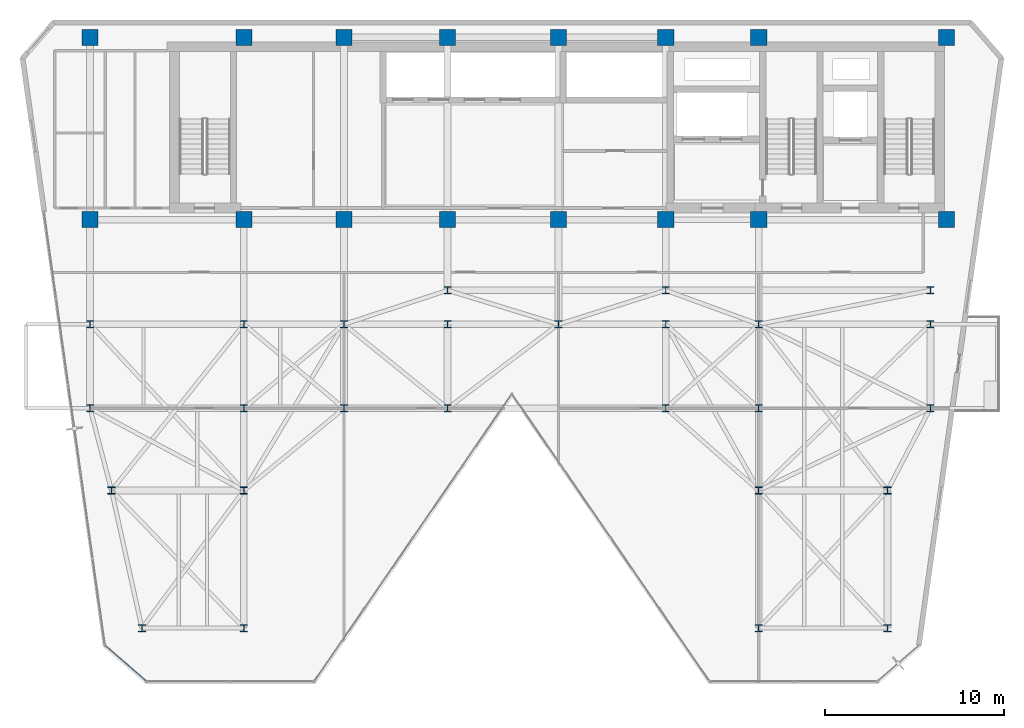
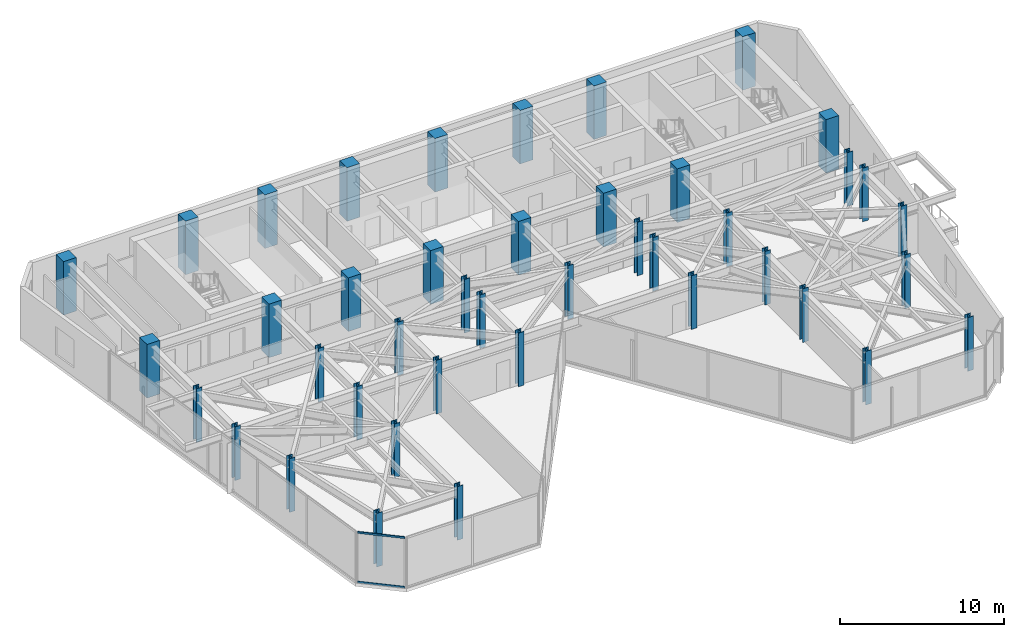
# One storey, part 1 of 26: 42 columns, 2 members, 1 element without a shape of its own.
"""IFC4 building model written with IfcOpenShell, lengths in metres."""

from ifc_helpers import new_model, si_unit, direction, frame, origin, origin_2d, place, context, subcontext, project, spatial, rectangle, hollow_rectangle, i_section, extrude, material, layer, layer_set, material_profile, profile_set, type_object, element, aggregate, save


model = new_model("IFC4")

# Units and contexts
model_context = context("Model", 3, precision=1e-05, world=origin(), true_north=direction((0.0, 1.0)))
body_context = subcontext(model_context, "Body", "Model", "MODEL_VIEW")
ifc_project = project(units=[si_unit("LENGTHUNIT", "METRE"), si_unit("AREAUNIT", "SQUARE_METRE"), si_unit("VOLUMEUNIT", "CUBIC_METRE"), si_unit("PLANEANGLEUNIT", "RADIAN"), si_unit("MASSUNIT", "GRAM", prefix="KILO")], contexts=[model_context])

# Site, building, storey
site_placement = place(None, origin())
site = spatial("IfcSite", under=ifc_project, at=site_placement, CompositionType="ELEMENT")
building_placement = place(site_placement, origin())
building = spatial("IfcBuilding", under=site, at=building_placement, Name="Kravanh Interchange Tower", CompositionType="ELEMENT")
storey_placement = place(building_placement, frame((0.0, 0.0, 204.5)))
storey = spatial("IfcBuildingStorey", under=building, at=storey_placement, Name="L49", CompositionType="ELEMENT", Elevation=204.5)

# Columns
ifc_material_1 = material(Name="Concrete C60/75", Category="concrete")
ifc_material_profile_1 = material_profile(ifc_material_1, rectangle(XDim=0.89990234375, YDim=0.89990234375, at=origin_2d()), Name="RC900X900")
ifc_profile_set_1 = profile_set([ifc_material_profile_1], Name="Concrete C60/75")
column_type_1 = type_object("IfcColumnType", Name="Column RC900X900 Concrete C60/75", PredefinedType="COLUMN", material=ifc_profile_set_1)
for number, where, z_axis, x_axis, name in (
    (1, (66.5, 47.550048828125, 0.0), (0.0, 0.0, 1.0), (1.0, 0.0, 0.0), "L49 Column CS01"),
    (2, (56.0, 47.550048828125, 0.0), (0.0, 0.0, 1.0), (1.0, 0.0, 0.0), "L49 Column CS02"),
    (3, (66.5, 37.35009765625, 0.0), (0.0, 0.0, 1.0), (1.0, 0.0, 0.0), "L49 Column CS03"),
    (4, (56.0, 37.35009765625, 0.0), (0.0, 0.0, 1.0), (1.0, 0.0, 0.0), "L49 Column CS04"),
    (5, (50.800048828125, 47.550048828125, 0.0), (0.0, 0.0, 1.0), (1.0, 0.0, 0.0), "L49 Column CS05"),
    (6, (50.800048828125, 37.35009765625, 0.0), (0.0, 0.0, 1.0), (1.0, 0.0, 0.0), "L49 Column CS06"),
    (7, (44.800048828125, 37.35009765625, 0.0), (0.0, 0.0, 1.0), (1.0, 0.0, 0.0), "L49 Column CS07"),
    (8, (44.800048828125, 47.550048828125, 0.0), (0.0, 0.0, 1.0), (1.0, 0.0, 0.0), "L49 Column CS08"),
    (9, (38.60009765625, 37.35009765625, 0.0), (0.0, 0.0, 1.0), (1.0, 0.0, 0.0), "L49 Column CS09"),
    (10, (38.60009765625, 47.550048828125, 0.0), (0.0, 0.0, 1.0), (1.0, 0.0, 0.0), "L49 Column CS10"),
    (11, (32.800048828125, 37.35009765625, 0.0), (0.0, 0.0, 1.0), (1.0, 0.0, 0.0), "L49 Column CS11"),
    (12, (32.800048828125, 47.550048828125, 0.0), (0.0, 0.0, 1.0), (1.0, 0.0, 0.0), "L49 Column CS12"),
    (13, (27.199951171875, 37.35009765625, 0.0), (0.0, 0.0, 1.0), (1.0, 0.0, 0.0), "L49 Column CS13"),
    (14, (27.199951171875, 47.550048828125, 0.0), (0.0, 0.0, 1.0), (1.0, 0.0, 0.0), "L49 Column CS14"),
    (15, (18.60009765625, 37.35009765625, 0.0), (0.0, 0.0, 1.0), (1.0, 0.0, 0.0), "L49 Column CS17"),
    (16, (18.60009765625, 47.550048828125, 0.0), (0.0, 0.0, 1.0), (1.0, 0.0, 0.0), "L49 Column CS18"),
):
    element("IfcColumn", number, at=place(storey_placement, frame(where, z_axis=z_axis, x_axis=x_axis)), inside=storey, type_object=column_type_1, Name=name, PredefinedType="COLUMN", context=body_context, shape_type="SweptSolid", body=[
        extrude(rectangle(XDim=0.89990234375, YDim=0.89990234375, at=origin_2d()), origin(), (0.0, 0.0, 1.0), 4.0),
    ])
ifc_material_2 = material(Name="Structural Steel S355", Category="steel")
ifc_material_profile_2 = material_profile(ifc_material_2, i_section(OverallWidth=0.40087890625, OverallDepth=0.39892578125, WebThickness=0.02490234375, FlangeThickness=0.03955078125, FilletRadius=0.030029296875, at=origin_2d()), Name="W14X211")
ifc_profile_set_2 = profile_set([ifc_material_profile_2], Name="Structural Steel S355")
column_type_2 = type_object("IfcColumnType", Name="Column W14X211 Structural Steel S355", PredefinedType="COLUMN", material=ifc_profile_set_2)
for number, where, z_axis, x_axis, name in (
    (17, (21.5, 14.5, 0.0), (0.0, 0.0, 1.0), (1.0, 0.0, 0.0), "L49 Column CZ3_1"),
    (18, (18.60009765625, 26.800048828125, 0.0), (0.0, 0.0, 1.0), (1.0, 0.0, 0.0), "L49 Column CZ3_11"),
    (19, (27.199951171875, 26.800048828125, 0.0), (0.0, 0.0, 1.0), (1.0, 0.0, 0.0), "L49 Column CZ3_12"),
    (20, (32.800048828125, 26.800048828125, 0.0), (0.0, 0.0, 1.0), (1.0, 0.0, 0.0), "L49 Column CZ3_13"),
    (21, (38.60009765625, 26.800048828125, 0.0), (0.0, 0.0, 1.0), (1.0, 0.0, 0.0), "L49 Column CZ3_13B"),
    (22, (50.800048828125, 26.800048828125, 0.0), (0.0, 0.0, 1.0), (1.0, 0.0, 0.0), "L49 Column CZ3_14"),
    (23, (56.0, 26.800048828125, 0.0), (0.0, 0.0, 1.0), (1.0, 0.0, 0.0), "L49 Column CZ3_15"),
    (24, (65.60009765625, 26.800048828125, 0.0), (0.0, 0.0, 1.0), (1.0, 0.0, 0.0), "L49 Column CZ3_16"),
    (25, (18.60009765625, 31.5, 0.0), (0.0, 0.0, 1.0), (1.0, 0.0, 0.0), "L49 Column CZ3_17"),
    (26, (27.199951171875, 31.5, 0.0), (0.0, 0.0, 1.0), (1.0, 0.0, 0.0), "L49 Column CZ3_18"),
    (27, (32.800048828125, 31.5, 0.0), (0.0, 0.0, 1.0), (1.0, 0.0, 0.0), "L49 Column CZ3_19"),
    (28, (27.199951171875, 14.5, 0.0), (0.0, 0.0, 1.0), (1.0, 0.0, 0.0), "L49 Column CZ3_2"),
    (29, (38.60009765625, 31.5, 0.0), (0.0, 0.0, 1.0), (1.0, 0.0, 0.0), "L49 Column CZ3_20"),
    (30, (44.800048828125, 31.5, 0.0), (0.0, 0.0, 1.0), (1.0, 0.0, 0.0), "L49 Column CZ3_21"),
    (31, (50.800048828125, 31.5, 0.0), (0.0, 0.0, 1.0), (1.0, 0.0, 0.0), "L49 Column CZ3_22"),
    (32, (56.0, 31.5, 0.0), (0.0, 0.0, 1.0), (1.0, 0.0, 0.0), "L49 Column CZ3_23"),
    (33, (65.60009765625, 31.5, 0.0), (0.0, 0.0, 1.0), (1.0, 0.0, 0.0), "L49 Column CZ3_24"),
    (34, (56.0, 14.5, 0.0), (0.0, 0.0, 1.0), (1.0, 0.0, 0.0), "L49 Column CZ3_3"),
    (35, (63.199951171875, 14.5, 0.0), (0.0, 0.0, 1.0), (1.0, 0.0, 0.0), "L49 Column CZ3_4"),
    (36, (19.800048828125, 22.199951171875, 0.0), (0.0, 0.0, 1.0), (1.0, 0.0, 0.0), "L49 Column CZ3_5"),
    (37, (27.199951171875, 22.199951171875, 0.0), (0.0, 0.0, 1.0), (1.0, 0.0, 0.0), "L49 Column CZ3_6"),
    (38, (56.0, 22.199951171875, 0.0), (0.0, 0.0, 1.0), (1.0, 0.0, 0.0), "L49 Column CZ3_8"),
    (39, (63.199951171875, 22.199951171875, 0.0), (0.0, 0.0, 1.0), (1.0, 0.0, 0.0), "L49 Column CZ3_9"),
    (40, (38.60009765625, 33.39990234375, 0.0), (0.0, 0.0, 1.0), (1.0, 0.0, 0.0), "L49 Column CZ3_M1"),
    (41, (50.800048828125, 33.39990234375, 0.0), (0.0, 0.0, 1.0), (1.0, 0.0, 0.0), "L49 Column CZ3_M2"),
    (42, (65.60009765625, 33.39990234375, 0.0), (0.0, 0.0, 1.0), (1.0, 0.0, 0.0), "L49 Column CZ3_M3"),
):
    element("IfcColumn", number, at=place(storey_placement, frame(where, z_axis=z_axis, x_axis=x_axis)), inside=storey, type_object=column_type_2, Name=name, PredefinedType="COLUMN", context=body_context, shape_type="SweptSolid", body=[
        extrude(i_section(OverallWidth=0.40087890625, OverallDepth=0.39892578125, WebThickness=0.02490234375, FlangeThickness=0.03955078125, FilletRadius=0.030029296875, at=origin_2d()), origin(), (0.0, 0.0, 1.0), 4.0),
    ])

# Curtain wall, members
ifc_material_3 = material(Name="Anodised Bronze Aluminium", Category="aluminium")
ifc_layer = layer(ifc_material_3, 0.179931640625)
ifc_layer_set = layer_set([ifc_layer], Name="Unitised Curtain Wall System CW-Z3 Upper Office")
curtain_wall_type = type_object("IfcCurtainWallType", Name="Unitised Curtain Wall System CW-Z3 Upper Office", PredefinedType="NOTDEFINED", material=ifc_layer_set)
curtain_wall_placement = place(storey_placement, origin())
curtain_wall = element("IfcCurtainWall", 43, at=curtain_wall_placement, inside=storey, type_object=curtain_wall_type, Name="L49 Unitised Curtain Wall CW-L49-07", PredefinedType="NOTDEFINED")
ifc_material_4 = material(Name="Anodised Bronze Aluminium", Category="aluminium")
ifc_material_profile_3 = material_profile(ifc_material_4, hollow_rectangle(XDim=0.06005859375, YDim=0.139892578125, WallThickness=0.00390625, at=origin_2d()), Name="ALU60X140X4")
ifc_profile_set_3 = profile_set([ifc_material_profile_3], Name="Anodised Bronze Aluminium")
member_type = type_object("IfcMemberType", Name="Curtain Wall Transom ALU60X140X4 Bronze", PredefinedType="USERDEFINED", material=ifc_profile_set_3)
member_1_placement = place(storey_placement, frame((21.713623046875, 11.559326171875, 0.030029296875), z_axis=(-0.754708504141, 0.656060266879, 0.0), x_axis=(-0.656060266879, -0.754708504141, 0.0)))
member_1 = element("IfcMember", 44, at=member_1_placement, type_object=member_type, Name="CW-Z3 transom 1.1", ObjectType="TRANSOM", PredefinedType="USERDEFINED", context=body_context, shape_type="SweptSolid", body=[
    extrude(hollow_rectangle(XDim=0.06005859375, YDim=0.139892578125, WallThickness=0.00390625, at=origin_2d()), origin(), (0.0, 0.0, 1.0), 2.9599609375),
])
member_2_placement = place(storey_placement, frame((21.713623046875, 11.559326171875, 3.72509765625), z_axis=(-0.754708504141, 0.656060266879, 0.0), x_axis=(-0.656060266879, -0.754708504141, 0.0)))
member_2 = element("IfcMember", 45, at=member_2_placement, type_object=member_type, Name="CW-Z3 transom 1.2", ObjectType="TRANSOM", PredefinedType="USERDEFINED", context=body_context, shape_type="SweptSolid", body=[
    extrude(hollow_rectangle(XDim=0.06005859375, YDim=0.139892578125, WallThickness=0.00390625, at=origin_2d()), origin(), (0.0, 0.0, 1.0), 2.9599609375),
])
aggregate(curtain_wall, [member_1, member_2])

save(model, "model.ifc")
